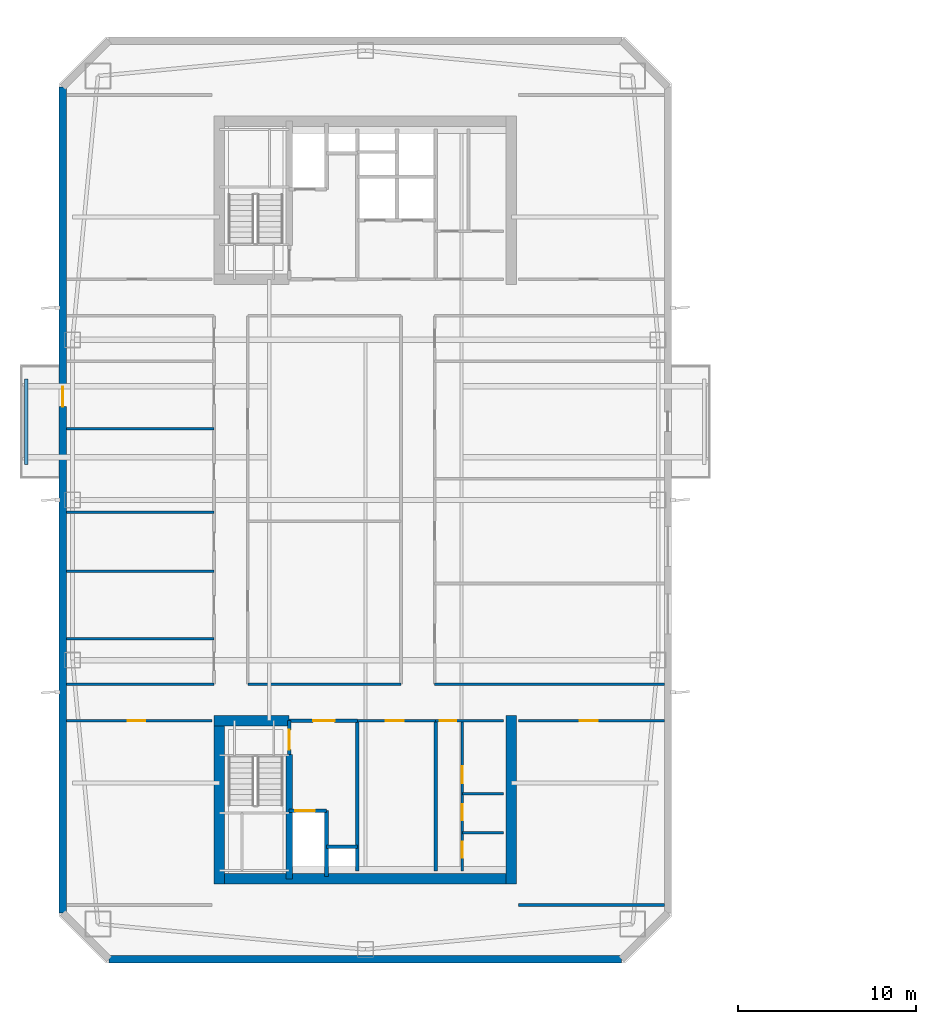
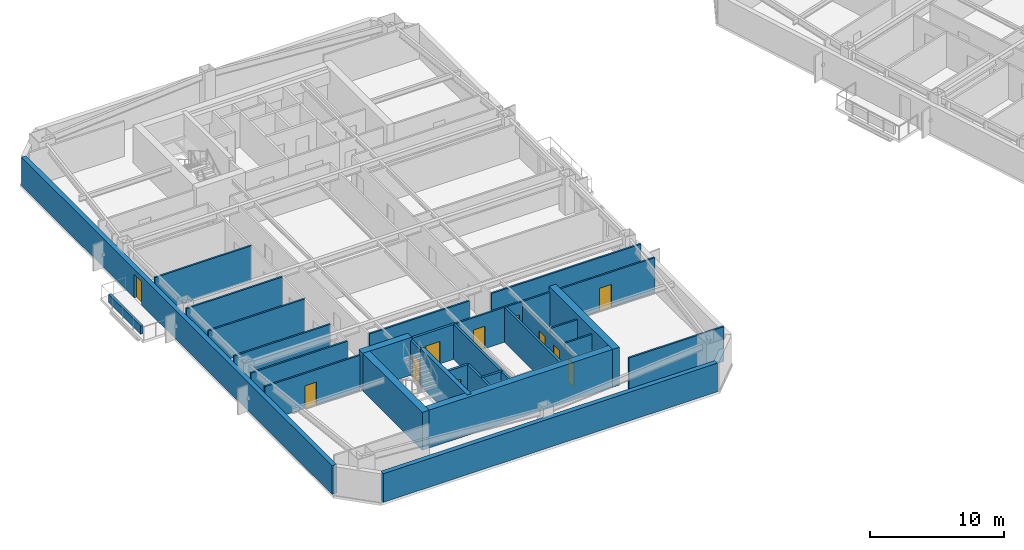
# One storey, part 6 of 18: 30 walls, 11 doors, 11 openings.
"""IFC4 building model written with IfcOpenShell, lengths in metres."""

import ifcopenshell
import ifcopenshell.guid

model = None  # the IFC model being written
_history = None  # IfcOwnerHistory: only IFC2X3 demands one
_inside = {}  # id of a spatial element -> (the spatial element, [elements in it])
_under = {}  # id of a project, library or spatial element -> (it, [spatial elements below it])
_declared = {}  # id of a project -> (the project, [libraries it declares])
_typed = {}  # id of a type object -> (the type object, [elements of that type])
_made_of = {}  # id of a material, layer set ... -> (it, [elements and type objects made of it])


def new_model(schema):
    """Start an empty IFC model of exactly this schema.

    Asked for "IFC4X3", IfcOpenShell would pick the latest addendum, in which some entities
    have other attributes; the version numbers below select the first issue.
    IFC2X3 requires an IfcOwnerHistory on every rooted entity: one is made here for all.
    """
    global model, _history
    if schema == "IFC4X3":
        model = ifcopenshell.file(schema_version=(4, 3, 0, 0))
    else:
        model = ifcopenshell.file(schema=schema)
    _inside.clear()
    _under.clear()
    _declared.clear()
    _typed.clear()
    _made_of.clear()
    _history = None
    if model.schema == "IFC2X3":
        org = make("IfcOrganization", Name="unknown")
        user = make(
            "IfcPersonAndOrganization",
            ThePerson=make("IfcPerson", FamilyName="unknown"),
            TheOrganization=org,
        )
        app = make(
            "IfcApplication",
            ApplicationDeveloper=org,
            Version="unknown",
            ApplicationFullName="unknown",
            ApplicationIdentifier="unknown",
        )
        _history = make(
            "IfcOwnerHistory",
            OwningUser=user,
            OwningApplication=app,
            ChangeAction="ADDED",
            CreationDate=0,
        )
    return model


def make(cls, **values):
    """One entity of the class cls with the attributes given. An attribute that is None is left unset."""
    return model.create_entity(
        cls, **{name: value for name, value in values.items() if value is not None}
    )


def rooted(cls, **values):
    """An entity with a GlobalId (a new one), such as an element, a storey or a relation."""
    return make(cls, GlobalId=ifcopenshell.guid.new(), OwnerHistory=_history, **values)


def si_unit(unit_type, name, prefix=None):
    """IfcSIUnit, for example si_unit("LENGTHUNIT", "METRE", prefix="MILLI")."""
    return make("IfcSIUnit", UnitType=unit_type, Prefix=prefix, Name=name)


def assignment(units):
    """IfcUnitAssignment: the units of a project."""
    return None if units is None else make("IfcUnitAssignment", Units=units)


def point(xyz):
    """IfcCartesianPoint."""
    return None if xyz is None else make("IfcCartesianPoint", Coordinates=xyz)


def direction(xyz):
    """IfcDirection."""
    return None if xyz is None else make("IfcDirection", DirectionRatios=xyz)


def frame(location, z_axis=None, x_axis=None):
    """IfcAxis2Placement3D, a coordinate frame: its origin and axes. An axis left out is left unset."""
    return make(
        "IfcAxis2Placement3D",
        Location=point(location),
        Axis=direction(z_axis),
        RefDirection=direction(x_axis),
    )


def frame_2d(location, x_axis=None):
    """IfcAxis2Placement2D, a coordinate frame in the plane: its origin and x axis."""
    return make(
        "IfcAxis2Placement2D", Location=point(location), RefDirection=direction(x_axis)
    )


def origin():
    """The frame at (0, 0, 0) with its axes left unset."""
    return frame((0.0, 0.0, 0.0))


def place(relative_to, where):
    """IfcLocalPlacement: puts the frame where relative to a parent placement (None: the world)."""
    return make(
        "IfcLocalPlacement", PlacementRelTo=relative_to, RelativePlacement=where
    )


def context(
    kind, dimensions, precision=None, world=None, true_north=None, identifier=None
):
    """IfcGeometricRepresentationContext, for example the 3D "Model" context."""
    return make(
        "IfcGeometricRepresentationContext",
        ContextIdentifier=identifier,
        ContextType=kind,
        CoordinateSpaceDimension=dimensions,
        Precision=precision,
        WorldCoordinateSystem=world,
        TrueNorth=true_north,
    )


def subcontext(parent, identifier, kind, view, scale=None):
    """IfcGeometricRepresentationSubContext, for example "Body" below "Model"."""
    return make(
        "IfcGeometricRepresentationSubContext",
        ContextIdentifier=identifier,
        ContextType=kind,
        ParentContext=parent,
        TargetScale=scale,
        TargetView=view,
    )


def project(units=None, contexts=None):
    """IfcProject with its units and contexts."""
    return rooted(
        "IfcProject",
        Name="project",
        RepresentationContexts=contexts,
        UnitsInContext=assignment(units),
    )


def spatial(cls, under=None, at=None, **own):
    """A site, building, storey or space (cls), placed at a placement, below another one or the project."""
    s = rooted(cls, ObjectPlacement=at, **own)
    if under is not None:
        _under.setdefault(under.id(), (under, []))[1].append(s)
    return s


def profile(cls, at=None, kind="AREA", **sizes):
    """A parametric profile (cls). Its sizes go by their IFC names, for example OverallWidth=200.0."""
    return make(cls, ProfileType=kind, Position=at, **sizes)


def rectangle(**sizes):
    """IfcRectangleProfileDef."""
    return profile("IfcRectangleProfileDef", **sizes)


def extrude(swept, where, along, depth):
    """IfcExtrudedAreaSolid: the profile swept, set in the frame where, extruded along a direction by depth."""
    return make(
        "IfcExtrudedAreaSolid",
        SweptArea=swept,
        Position=where,
        ExtrudedDirection=direction(along),
        Depth=depth,
    )


def shape(context_of_items, identifier, shape_type, items):
    """IfcShapeRepresentation: the items that make up one representation, for example the "Body"."""
    return make(
        "IfcShapeRepresentation",
        ContextOfItems=context_of_items,
        RepresentationIdentifier=identifier,
        RepresentationType=shape_type,
        Items=items,
    )


def material(Name=None, Category=None):
    """IfcMaterial."""
    return make("IfcMaterial", Name=Name, Category=Category)


def layer(
    of_material, thickness, ventilated=None, Name=None, Category=None, Priority=None
):
    """IfcMaterialLayer: one layer of a wall or slab, of a material (None: an air gap)."""
    return make(
        "IfcMaterialLayer",
        Material=of_material,
        LayerThickness=thickness,
        IsVentilated=ventilated,
        Name=Name,
        Category=Category,
        Priority=Priority,
    )


def layer_set(layers, Name=None):
    """IfcMaterialLayerSet."""
    return make("IfcMaterialLayerSet", MaterialLayers=layers, LayerSetName=Name)


def made_of(thing, what):
    """Note that an element or type object is made of a material, layer set ...; save() writes the relation."""
    if what is not None:
        _made_of.setdefault(what.id(), (what, []))[1].append(thing)
    return thing


def type_object(cls, material=None, **own):
    """A type object (cls), such as IfcWallType, which elements share."""
    return made_of(rooted(cls, **own), material)


def element(
    cls,
    number,
    at=None,
    inside=None,
    cuts=None,
    type_object=None,
    material=None,
    context=None,
    identifier="Body",
    shape_type=None,
    held_by="IfcProductDefinitionShape",
    body=None,
    shapes=None,
    **own,
):
    """One element of the class cls, such as IfcWall. Its Tag is "e" and its number.

    at: its placement. inside: the storey or other place that contains it. cuts: it is an
    opening in that element (IfcRelVoidsElement). A single representation is given by context,
    identifier, shape_type and body (its items); several are given by shapes. held_by: the class
    of the entity that holds the representations. save() writes the other relations.
    """
    e = rooted(cls, Tag="e%d" % number, ObjectPlacement=at, **own)
    if body is not None:
        shapes = [shape(context, identifier, shape_type, body)]
    if shapes is not None:
        e.Representation = make(held_by, Representations=shapes)
    if inside is not None:
        _inside.setdefault(inside.id(), (inside, []))[1].append(e)
    if cuts is not None:
        rooted(
            "IfcRelVoidsElement", RelatingBuildingElement=cuts, RelatedOpeningElement=e
        )
    if type_object is not None:
        _typed.setdefault(type_object.id(), (type_object, []))[1].append(e)
    return made_of(e, material)


def fill(opening, filler):
    """IfcRelFillsElement: the door or window that sits in an opening."""
    return rooted(
        "IfcRelFillsElement",
        RelatingOpeningElement=opening,
        RelatedBuildingElement=filler,
    )


def aggregate(whole, parts):
    """IfcRelAggregates: a whole, such as a stair, and the parts it consists of."""
    return rooted("IfcRelAggregates", RelatingObject=whole, RelatedObjects=parts)


def save(model, path):
    """Write the relations noted so far, then the file.

    IfcRelAggregates (storeys below a building ...), IfcRelContainedInSpatialStructure (elements
    in a storey), IfcRelDefinesByType, IfcRelAssociatesMaterial and IfcRelDeclares: one each for
    every whole, place, type object, material and project.
    """
    for whole, parts in _under.values():
        aggregate(whole, parts)
    for where, things in _inside.values():
        rooted(
            "IfcRelContainedInSpatialStructure",
            RelatedElements=things,
            RelatingStructure=where,
        )
    for kind, things in _typed.values():
        rooted("IfcRelDefinesByType", RelatedObjects=things, RelatingType=kind)
    for what, things in _made_of.values():
        rooted("IfcRelAssociatesMaterial", RelatedObjects=things, RelatingMaterial=what)
    for by, libraries in _declared.values():
        rooted("IfcRelDeclares", RelatingContext=by, RelatedDefinitions=libraries)
    model.write(path)


model = new_model("IFC4")

# Units and contexts
model_context = context("Model", 3, precision=1e-05, world=origin(), true_north=direction((0.0, 1.0)))
body_context = subcontext(model_context, "Body", "Model", "MODEL_VIEW")
ifc_project = project(units=[si_unit("LENGTHUNIT", "METRE"), si_unit("AREAUNIT", "SQUARE_METRE"), si_unit("VOLUMEUNIT", "CUBIC_METRE"), si_unit("PLANEANGLEUNIT", "RADIAN"), si_unit("MASSUNIT", "GRAM", prefix="KILO")], contexts=[model_context])

# Site, building, storey
site_placement = place(None, origin())
site = spatial("IfcSite", under=ifc_project, at=site_placement, CompositionType="ELEMENT")
building_placement = place(site_placement, origin())
building = spatial("IfcBuilding", under=site, at=building_placement, Name="Qiaolan Cultural Towers", CompositionType="ELEMENT")
storey_placement = place(building_placement, frame((0.0, 0.0, 163.300048828125)))
storey = spatial("IfcBuildingStorey", under=building, at=storey_placement, Name="L43", CompositionType="ELEMENT", Elevation=163.300048828125)

# Walls
ifc_material_1 = material(Name="Concrete C50", Category="concrete")
ifc_layer_1 = layer(ifc_material_1, 0.35009765625)
ifc_layer_set_1 = layer_set([ifc_layer_1], Name="Concrete C50")
wall_type_1 = type_object("IfcWallType", Name="WL-CORE-350", PredefinedType="SHEAR", material=ifc_layer_set_1)
wall_1_placement = place(storey_placement, frame((25.719970703125, 19.699951171875, 0.0), z_axis=(0.0, 0.0, 1.0), x_axis=(0.0, -1.0, 0.0)))
element("IfcWall", 1, at=wall_1_placement, inside=storey, type_object=wall_type_1, Name="L43 T1-CS Stair Core Dividing Web", PredefinedType="SHEAR", context=body_context, shape_type="SweptSolid", body=[
    extrude(rectangle(XDim=6.97998046875, YDim=0.35009765625, at=frame_2d((3.489990234375, 0.0))), origin(), (0.0, 0.0, 1.0), 3.449951171875),
])
ifc_material_2 = material(Name="Concrete C55", Category="concrete")
ifc_layer_2 = layer(ifc_material_2, 0.60009765625)
ifc_layer_set_2 = layer_set([ifc_layer_2], Name="Concrete C55")
wall_type_2 = type_object("IfcWallType", Name="WL-CORE-600", PredefinedType="SHEAR", material=ifc_layer_set_2)
wall_2_placement = place(storey_placement, frame((21.5, 12.719970703125, 0.0), z_axis=(0.0, 0.0, 1.0), x_axis=(1.0, 0.0, 0.0)))
element("IfcWall", 2, at=wall_2_placement, inside=storey, type_object=wall_type_2, Name="L43 T1-CS Outer Core Shear Wall", PredefinedType="SHEAR", context=body_context, shape_type="SweptSolid", body=[
    extrude(rectangle(XDim=17.0, YDim=0.60009765625, at=frame_2d((8.5, 0.0))), origin(), (0.0, 0.0, 1.0), 3.449951171875),
])
for number, where, z_axis, x_axis, name in (
    (3, (21.800048828125, 21.89990234375, 0.0), (0.0, 0.0, 1.0), (0.0, -1.0, 0.0), "L43 T1-CS West Core Shear Wall"),
    (4, (38.199951171875, 21.89990234375, 0.0), (0.0, 0.0, 1.0), (0.0, -1.0, 0.0), "L43 T1-CS East Core Shear Wall"),
):
    element("IfcWall", number, at=place(storey_placement, frame(where, z_axis=z_axis, x_axis=x_axis)), inside=storey, type_object=wall_type_2, Name=name, PredefinedType="SHEAR", context=body_context, shape_type="SweptSolid", body=[
        extrude(rectangle(XDim=9.47998046875, YDim=0.60009765625, at=frame_2d((4.739990234375, 0.0))), origin(), (0.0, 0.0, 1.0), 3.449951171875),
    ])
wall_3_placement = place(storey_placement, frame((21.5, 21.60009765625, 0.0), z_axis=(0.0, 0.0, 1.0), x_axis=(1.0, 0.0, 0.0)))
element("IfcWall", 5, at=wall_3_placement, inside=storey, type_object=wall_type_2, Name="L43 T1-CS Stair Front Shear Wall", PredefinedType="SHEAR", context=body_context, shape_type="SweptSolid", body=[
    extrude(rectangle(XDim=4.219970703125, YDim=0.60009765625, at=frame_2d((2.10986328125, 0.0))), origin(), (0.0, 0.0, 1.0), 3.449951171875),
])

# Wall, opening, door
ifc_material_3 = material(Name="Precast Concrete C50 Honed Stone Pier", Category="masonry")
ifc_layer_3 = layer(ifc_material_3, 0.39990234375)
ifc_layer_set_3 = layer_set([ifc_layer_3], Name="Precast Concrete C50 Honed Stone Pier")
wall_type_3 = type_object("IfcWallType", Name="WL-EXT-PIER-400", PredefinedType="SOLIDWALL", material=ifc_layer_set_3)
wall_4_placement = place(storey_placement, frame((13.0, 10.800048828125, 0.0), z_axis=(0.0, 0.0, 1.0), x_axis=(0.0, 1.0, 0.0)))
wall_4 = element("IfcWall", 6, at=wall_4_placement, inside=storey, type_object=wall_type_3, Name="L43 West Tower Precast Pier Facade Wall F1", PredefinedType="SOLIDWALL", context=body_context, shape_type="SweptSolid", body=[
    extrude(rectangle(XDim=46.39990234375, YDim=0.39990234375, at=frame_2d((23.199951171875, 0.0))), origin(), (0.0, 0.0, 1.0), 2.60986328125),
])
opening_1_placement = place(wall_4_placement, frame((28.449951171875, 0.0, 0.0)))
opening_1 = element("IfcOpeningElement", 7, at=opening_1_placement, cuts=wall_4, Name="Opening BD-01", PredefinedType="OPENING", context=body_context, shape_type="SweptSolid", body=[
    extrude(rectangle(XDim=1.10009765625, YDim=2.14990234375, at=frame_2d((0.550048828125, 1.074951171875))), frame((0.0, 0.2099609375, 0.0), z_axis=(0.0, -1.0, 0.0), x_axis=(1.0, 0.0, 0.0)), (0.0, 0.0, 1.0), 0.419921875),
])
ifc_material_4 = material(Name="Thermally Broken Aluminium Glazed Terrace Door", Category="aluminium")
door_type_1 = type_object("IfcDoorType", Name="DR-BAL-1100", OperationType="NOTDEFINED", PredefinedType="DOOR", material=ifc_material_4)
door_1_placement = place(opening_1_placement, origin())
door_1 = element("IfcDoor", 8, at=door_1_placement, inside=storey, type_object=door_type_1, Name="L43 T1 West Tree Balcony Door", OperationType="SINGLE_SWING_LEFT", OverallHeight=2.14990234375, OverallWidth=1.10009765625, PredefinedType="DOOR", context=body_context, shape_type="SweptSolid", body=[
    extrude(rectangle(XDim=1.10009765625, YDim=2.14990234375, at=frame_2d((0.550048828125, 1.074951171875))), frame((0.0, 0.02490234375, 0.0), z_axis=(0.0, -1.0, 0.0), x_axis=(1.0, 0.0, 0.0)), (0.0, 0.0, 1.0), 0.050048828125),
])
fill(opening_1, door_1)

# Wall
wall_5_placement = place(storey_placement, frame((44.39990234375, 8.199951171875, 0.0), z_axis=(0.0, 0.0, 1.0), x_axis=(-1.0, 0.0, 0.0)))
element("IfcWall", 9, at=wall_5_placement, inside=storey, type_object=wall_type_3, Name="L43 West Tower Precast Pier Facade Wall F7", PredefinedType="SOLIDWALL", context=body_context, shape_type="SweptSolid", body=[
    extrude(rectangle(XDim=28.7998046875, YDim=0.39990234375, at=frame_2d((14.39990234375, 0.0))), origin(), (0.0, 0.0, 1.0), 2.60986328125),
])

# Wall, opening, door
ifc_material_5 = material(Name="Concrete C35 Fire Wall", Category="concrete")
ifc_layer_4 = layer(ifc_material_5, 0.199951171875)
ifc_layer_set_4 = layer_set([ifc_layer_4], Name="Concrete C35 Fire Wall")
wall_type_4 = type_object("IfcWallType", Name="WL-FIRE-200", PredefinedType="PARTITIONING", material=ifc_layer_set_4)
wall_6_placement = place(storey_placement, frame((25.719970703125, 21.60009765625, 0.0), z_axis=(0.0, 0.0, 1.0), x_axis=(0.0, -1.0, 0.0)))
wall_6 = element("IfcWall", 10, at=wall_6_placement, inside=storey, type_object=wall_type_4, Name="L43 T1-CS Smokeproof Stair Entry Wall", PredefinedType="PARTITIONING", context=body_context, shape_type="SweptSolid", body=[
    extrude(rectangle(XDim=1.900146484375, YDim=0.199951171875, at=frame_2d((0.9501953125, 0.0))), origin(), (0.0, 0.0, 1.0), 3.175048828125),
])
opening_2_placement = place(wall_6_placement, frame((0.52001953125, 0.0, 0.0)))
opening_2 = element("IfcOpeningElement", 11, at=opening_2_placement, cuts=wall_6, Name="Opening FD-04", PredefinedType="OPENING", context=body_context, shape_type="SweptSolid", body=[
    extrude(rectangle(XDim=1.10009765625, YDim=2.050048828125, at=frame_2d((0.550048828125, 1.02490234375))), frame((0.0, 0.10986328125, 0.0), z_axis=(0.0, -1.0, 0.0), x_axis=(1.0, 0.0, 0.0)), (0.0, 0.0, 1.0), 0.219970703125),
])
ifc_material_6 = material(Name="Galvanized Steel Command Fire Door", Category="steel")
door_type_2 = type_object("IfcDoorType", Name="DR-FD90-1100", OperationType="NOTDEFINED", PredefinedType="DOOR", material=ifc_material_6)
door_2_placement = place(opening_2_placement, origin())
door_2 = element("IfcDoor", 12, at=door_2_placement, inside=storey, type_object=door_type_2, Name="L43 ST-W1 Smokeproof Stair Fire Door", OperationType="SINGLE_SWING_LEFT", OverallHeight=2.050048828125, OverallWidth=1.10009765625, PredefinedType="DOOR", context=body_context, shape_type="SweptSolid", body=[
    extrude(rectangle(XDim=1.10009765625, YDim=2.050048828125, at=frame_2d((0.550048828125, 1.02490234375))), frame((0.0, 0.02490234375, 0.0), z_axis=(0.0, -1.0, 0.0), x_axis=(1.0, 0.0, 0.0)), (0.0, 0.0, 1.0), 0.050048828125),
])
fill(opening_2, door_2)

# Wall
wall_7_placement = place(storey_placement, frame((29.550048828125, 21.60009765625, 0.0), z_axis=(0.0, 0.0, 1.0), x_axis=(0.0, -1.0, 0.0)))
element("IfcWall", 13, at=wall_7_placement, inside=storey, type_object=wall_type_4, Name="L43 T1-CS Firefighting Zone Wall", PredefinedType="PARTITIONING", context=body_context, shape_type="SweptSolid", body=[
    extrude(rectangle(XDim=8.43017578125, YDim=0.199951171875, at=frame_2d((4.215087890625, 0.0))), origin(), (0.0, 0.0, 1.0), 3.175048828125),
])

# Wall, opening, door
wall_8_placement = place(storey_placement, frame((25.719970703125, 21.60009765625, 0.0), z_axis=(0.0, 0.0, 1.0), x_axis=(1.0, 0.0, 0.0)))
wall_8 = element("IfcWall", 14, at=wall_8_placement, inside=storey, type_object=wall_type_4, Name="L43 T1-CS Firefighting Lobby Front Wall", PredefinedType="PARTITIONING", context=body_context, shape_type="SweptSolid", body=[
    extrude(rectangle(XDim=3.830078125, YDim=0.199951171875, at=frame_2d((1.9150390625, 0.0))), origin(), (0.0, 0.0, 1.0), 3.175048828125),
])
opening_3_placement = place(wall_8_placement, frame((1.35009765625, 0.0, 0.0)))
opening_3 = element("IfcOpeningElement", 15, at=opening_3_placement, cuts=wall_8, Name="Opening FD-03", PredefinedType="OPENING", context=body_context, shape_type="SweptSolid", body=[
    extrude(rectangle(XDim=1.199951171875, YDim=2.050048828125, at=frame_2d((0.60009765625, 1.02490234375))), frame((0.0, 0.10986328125, 0.0), z_axis=(0.0, -1.0, 0.0), x_axis=(1.0, 0.0, 0.0)), (0.0, 0.0, 1.0), 0.219970703125),
])
ifc_material_7 = material(Name="Galvanized Steel Smokeproof Lobby Fire Door", Category="steel")
door_type_3 = type_object("IfcDoorType", Name="DR-FD90-1200", OperationType="NOTDEFINED", PredefinedType="DOOR", material=ifc_material_7)
door_3_placement = place(opening_3_placement, origin())
door_3 = element("IfcDoor", 16, at=door_3_placement, inside=storey, type_object=door_type_3, Name="L43 FFL-W1 Firefighting Lobby Fire Door", OperationType="SINGLE_SWING_LEFT", OverallHeight=2.050048828125, OverallWidth=1.199951171875, PredefinedType="DOOR", context=body_context, shape_type="SweptSolid", body=[
    extrude(rectangle(XDim=1.199951171875, YDim=2.050048828125, at=frame_2d((0.60009765625, 1.02490234375))), frame((0.0, 0.02490234375, 0.0), z_axis=(0.0, -1.0, 0.0), x_axis=(1.0, 0.0, 0.0)), (0.0, 0.0, 1.0), 0.050048828125),
])
fill(opening_3, door_3)

wall_9_placement = place(storey_placement, frame((25.719970703125, 16.550048828125, 0.0), z_axis=(0.0, 0.0, 1.0), x_axis=(1.0, 0.0, 0.0)))
wall_9 = element("IfcWall", 17, at=wall_9_placement, inside=storey, type_object=wall_type_4, Name="L43 T1-CS Firefighting Shaft Front Wall", PredefinedType="PARTITIONING", context=body_context, shape_type="SweptSolid", body=[
    extrude(rectangle(XDim=2.10009765625, YDim=0.199951171875, at=frame_2d((1.050048828125, 0.0))), origin(), (0.0, 0.0, 1.0), 3.175048828125),
])
opening_4_placement = place(wall_9_placement, frame((0.35009765625, 0.0, 0.0)))
opening_4 = element("IfcOpeningElement", 18, at=opening_4_placement, cuts=wall_9, Name="Opening LD-01", PredefinedType="OPENING", context=body_context, shape_type="SweptSolid", body=[
    extrude(rectangle(XDim=1.10009765625, YDim=2.050048828125, at=frame_2d((0.550048828125, 1.02490234375))), frame((0.0, 0.10986328125, 0.0), z_axis=(0.0, -1.0, 0.0), x_axis=(1.0, 0.0, 0.0)), (0.0, 0.0, 1.0), 0.219970703125),
])
ifc_material_8 = material(Name="Brushed Stainless Steel S30408 Centre-Parting Lift Landing Door", Category="steel")
door_type_4 = type_object("IfcDoorType", Name="DR-LIFT-1100", OperationType="NOTDEFINED", PredefinedType="DOOR", material=ifc_material_8)
door_4_placement = place(opening_4_placement, origin())
door_4 = element("IfcDoor", 19, at=door_4_placement, inside=storey, type_object=door_type_4, Name="L43 FFL-W1 Firefighting Lift Landing Door", OperationType="DOUBLE_DOOR_SLIDING", OverallHeight=2.050048828125, OverallWidth=1.10009765625, PredefinedType="DOOR", context=body_context, shape_type="SweptSolid", body=[
    extrude(rectangle(XDim=1.10009765625, YDim=2.050048828125, at=frame_2d((0.550048828125, 1.02490234375))), frame((0.0, 0.02490234375, 0.0), z_axis=(0.0, -1.0, 0.0), x_axis=(1.0, 0.0, 0.0)), (0.0, 0.0, 1.0), 0.050048828125),
])
fill(opening_4, door_4)

# Walls
wall_10_placement = place(storey_placement, frame((27.820068359375, 16.550048828125, 0.0), z_axis=(0.0, 0.0, 1.0), x_axis=(0.0, -1.0, 0.0)))
element("IfcWall", 20, at=wall_10_placement, inside=storey, type_object=wall_type_4, Name="L43 T1-CS Firefighting Hoistway East Wall", PredefinedType="PARTITIONING", context=body_context, shape_type="SweptSolid", body=[
    extrude(rectangle(XDim=3.699951171875, YDim=0.199951171875, at=frame_2d((1.85009765625, 0.0))), origin(), (0.0, 0.0, 1.0), 3.175048828125),
])
wall_11_placement = place(storey_placement, frame((27.820068359375, 14.52001953125, 0.0), z_axis=(0.0, 0.0, 1.0), x_axis=(1.0, 0.0, 0.0)))
element("IfcWall", 21, at=wall_11_placement, inside=storey, type_object=wall_type_4, Name="L43 T1-CS Pressurization Shaft Front Wall", PredefinedType="PARTITIONING", context=body_context, shape_type="SweptSolid", body=[
    extrude(rectangle(XDim=1.72998046875, YDim=0.199951171875, at=frame_2d((0.864990234375, 0.0))), origin(), (0.0, 0.0, 1.0), 3.175048828125),
])
wall_12_placement = place(storey_placement, frame((33.949951171875, 21.60009765625, 0.0), z_axis=(0.0, 0.0, 1.0), x_axis=(0.0, -1.0, 0.0)))
element("IfcWall", 22, at=wall_12_placement, inside=storey, type_object=wall_type_4, Name="L43 T1-CS Lift Core East Wall", PredefinedType="PARTITIONING", context=body_context, shape_type="SweptSolid", body=[
    extrude(rectangle(XDim=8.43017578125, YDim=0.199951171875, at=frame_2d((4.215087890625, 0.0))), origin(), (0.0, 0.0, 1.0), 3.175048828125),
])

# Wall, opening, door
ifc_material_9 = material(Name="Autoclaved Aerated Concrete Block B06", Category="concrete")
ifc_layer_5 = layer(ifc_material_9, 0.14990234375)
ifc_layer_set_5 = layer_set([ifc_layer_5], Name="Autoclaved Aerated Concrete Block B06")
wall_type_5 = type_object("IfcWallType", Name="WL-PART-150", PredefinedType="PARTITIONING", material=ifc_layer_set_5)
wall_13_placement = place(storey_placement, frame((29.550048828125, 21.60009765625, 0.0), z_axis=(0.0, 0.0, 1.0), x_axis=(1.0, 0.0, 0.0)))
wall_13 = element("IfcWall", 23, at=wall_13_placement, inside=storey, type_object=wall_type_5, Name="L43 T1-CS Reclaimed Core Room Front Wall", PredefinedType="PARTITIONING", context=body_context, shape_type="SweptSolid", body=[
    extrude(rectangle(XDim=4.39990234375, YDim=0.14990234375, at=frame_2d((2.199951171875, 0.0))), origin(), (0.0, 0.0, 1.0), 3.175048828125),
])
opening_5_placement = place(wall_13_placement, frame((1.60009765625, 0.0, 0.0)))
opening_5 = element("IfcOpeningElement", 24, at=opening_5_placement, cuts=wall_13, Name="Opening ID-04", PredefinedType="OPENING", context=body_context, shape_type="SweptSolid", body=[
    extrude(rectangle(XDim=1.0, YDim=2.050048828125, at=frame_2d((0.5, 1.02490234375))), frame((0.0, 0.0849609375, 0.0), z_axis=(0.0, -1.0, 0.0), x_axis=(1.0, 0.0, 0.0)), (0.0, 0.0, 1.0), 0.169921875),
])
ifc_material_10 = material(Name="Oak Veneer Acoustic Office Door", Category="timber")
door_type_5 = type_object("IfcDoorType", Name="DR-INT-1000", OperationType="NOTDEFINED", PredefinedType="DOOR", material=ifc_material_10)
door_5_placement = place(opening_5_placement, origin())
door_5 = element("IfcDoor", 25, at=door_5_placement, inside=storey, type_object=door_type_5, Name="L43 Reclaimed Archive Room Door", OperationType="SINGLE_SWING_LEFT", OverallHeight=2.050048828125, OverallWidth=1.0, PredefinedType="DOOR", context=body_context, shape_type="SweptSolid", body=[
    extrude(rectangle(XDim=1.0, YDim=2.050048828125, at=frame_2d((0.5, 1.02490234375))), frame((0.0, 0.02490234375, 0.0), z_axis=(0.0, -1.0, 0.0), x_axis=(1.0, 0.0, 0.0)), (0.0, 0.0, 1.0), 0.050048828125),
])
fill(opening_5, door_5)

wall_14_placement = place(storey_placement, frame((33.949951171875, 21.60009765625, 0.0), z_axis=(0.0, 0.0, 1.0), x_axis=(1.0, 0.0, 0.0)))
wall_14 = element("IfcWall", 26, at=wall_14_placement, inside=storey, type_object=wall_type_5, Name="L43 T1-CS Sanitary Core Front Wall", PredefinedType="PARTITIONING", context=body_context, shape_type="SweptSolid", body=[
    extrude(rectangle(XDim=3.800048828125, YDim=0.14990234375, at=frame_2d((1.89990234375, 0.0))), origin(), (0.0, 0.0, 1.0), 3.175048828125),
])
opening_6_placement = place(wall_14_placement, frame((0.219970703125, 0.0, 0.0)))
opening_6 = element("IfcOpeningElement", 27, at=opening_6_placement, cuts=wall_14, Name="Opening ID-05", PredefinedType="OPENING", context=body_context, shape_type="SweptSolid", body=[
    extrude(rectangle(XDim=0.949951171875, YDim=2.050048828125, at=frame_2d((0.47509765625, 1.02490234375))), frame((0.0, 0.0849609375, 0.0), z_axis=(0.0, -1.0, 0.0), x_axis=(1.0, 0.0, 0.0)), (0.0, 0.0, 1.0), 0.169921875),
])
ifc_material_11 = material(Name="Fire-Rated Laminate Accessible Core Door", Category="timber")
door_type_6 = type_object("IfcDoorType", Name="DR-INT-950", OperationType="NOTDEFINED", PredefinedType="DOOR", material=ifc_material_11)
door_6_placement = place(opening_6_placement, origin())
door_6 = element("IfcDoor", 28, at=door_6_placement, inside=storey, type_object=door_type_6, Name="L43 Sanitary Vestibule Door", OperationType="SINGLE_SWING_LEFT", OverallHeight=2.050048828125, OverallWidth=0.949951171875, PredefinedType="DOOR", context=body_context, shape_type="SweptSolid", body=[
    extrude(rectangle(XDim=0.949951171875, YDim=2.050048828125, at=frame_2d((0.47509765625, 1.02490234375))), frame((0.0, 0.02490234375, 0.0), z_axis=(0.0, -1.0, 0.0), x_axis=(1.0, 0.0, 0.0)), (0.0, 0.0, 1.0), 0.050048828125),
])
fill(opening_6, door_6)

# Wall, openings, doors
wall_15_placement = place(storey_placement, frame((35.449951171875, 21.60009765625, 0.0), z_axis=(0.0, 0.0, 1.0), x_axis=(0.0, -1.0, 0.0)))
wall_15 = element("IfcWall", 29, at=wall_15_placement, inside=storey, type_object=wall_type_5, Name="L43 T1-CS Sanitary Vestibule Wall", PredefinedType="PARTITIONING", context=body_context, shape_type="SweptSolid", body=[
    extrude(rectangle(XDim=8.43017578125, YDim=0.14990234375, at=frame_2d((4.215087890625, 0.0))), origin(), (0.0, 0.0, 1.0), 2.81494140625),
])
opening_7_placement = place(wall_15_placement, frame((2.550048828125, 0.0, 0.0)))
opening_7 = element("IfcOpeningElement", 30, at=opening_7_placement, cuts=wall_15, Name="Opening ID-05", PredefinedType="OPENING", context=body_context, shape_type="SweptSolid", body=[
    extrude(rectangle(XDim=0.949951171875, YDim=2.050048828125, at=frame_2d((0.47509765625, 1.02490234375))), frame((0.0, 0.0849609375, 0.0), z_axis=(0.0, -1.0, 0.0), x_axis=(1.0, 0.0, 0.0)), (0.0, 0.0, 1.0), 0.169921875),
])
opening_8_placement = place(wall_15_placement, frame((4.699951171875, 0.0, 0.0)))
opening_8 = element("IfcOpeningElement", 31, at=opening_8_placement, cuts=wall_15, Name="Opening ID-06", PredefinedType="OPENING", context=body_context, shape_type="SweptSolid", body=[
    extrude(rectangle(XDim=0.89990234375, YDim=2.050048828125, at=frame_2d((0.449951171875, 1.02490234375))), frame((0.0, 0.0849609375, 0.0), z_axis=(0.0, -1.0, 0.0), x_axis=(1.0, 0.0, 0.0)), (0.0, 0.0, 1.0), 0.169921875),
])
opening_9_placement = place(wall_15_placement, frame((6.800048828125, 0.0, 0.0)))
opening_9 = element("IfcOpeningElement", 32, at=opening_9_placement, cuts=wall_15, Name="Opening ID-06", PredefinedType="OPENING", context=body_context, shape_type="SweptSolid", body=[
    extrude(rectangle(XDim=0.89990234375, YDim=2.050048828125, at=frame_2d((0.449951171875, 1.02490234375))), frame((0.0, 0.0849609375, 0.0), z_axis=(0.0, -1.0, 0.0), x_axis=(1.0, 0.0, 0.0)), (0.0, 0.0, 1.0), 0.169921875),
])
ifc_material_12 = material(Name="Fire-Rated Laminate Core Service Door", Category="timber")
door_type_7 = type_object("IfcDoorType", Name="DR-INT-900", OperationType="NOTDEFINED", PredefinedType="DOOR", material=ifc_material_12)
door_7_placement = place(opening_8_placement, origin())
door_7 = element("IfcDoor", 33, at=door_7_placement, inside=storey, type_object=door_type_7, Name="L43 Men Washroom Door", OperationType="SINGLE_SWING_LEFT", OverallHeight=2.050048828125, OverallWidth=0.89990234375, PredefinedType="DOOR", context=body_context, shape_type="SweptSolid", body=[
    extrude(rectangle(XDim=0.89990234375, YDim=2.050048828125, at=frame_2d((0.449951171875, 1.02490234375))), frame((0.0, 0.02490234375, 0.0), z_axis=(0.0, -1.0, 0.0), x_axis=(1.0, 0.0, 0.0)), (0.0, 0.0, 1.0), 0.050048828125),
])
fill(opening_8, door_7)
door_8_placement = place(opening_9_placement, origin())
door_8 = element("IfcDoor", 34, at=door_8_placement, inside=storey, type_object=door_type_7, Name="L43 Women Washroom Door", OperationType="SINGLE_SWING_RIGHT", OverallHeight=2.050048828125, OverallWidth=0.89990234375, PredefinedType="DOOR", context=body_context, shape_type="SweptSolid", body=[
    extrude(rectangle(XDim=0.89990234375, YDim=2.050048828125, at=frame_2d((0.449951171875, 1.02490234375))), frame((0.0, 0.02490234375, 0.0), z_axis=(0.0, -1.0, 0.0), x_axis=(1.0, 0.0, 0.0)), (0.0, 0.0, 1.0), 0.050048828125),
])
fill(opening_9, door_8)
door_9_placement = place(opening_7_placement, origin())
door_9 = element("IfcDoor", 35, at=door_9_placement, inside=storey, type_object=door_type_6, Name="L43 Accessible Family Washroom Door", OperationType="SINGLE_SWING_LEFT", OverallHeight=2.050048828125, OverallWidth=0.949951171875, PredefinedType="DOOR", context=body_context, shape_type="SweptSolid", body=[
    extrude(rectangle(XDim=0.949951171875, YDim=2.050048828125, at=frame_2d((0.47509765625, 1.02490234375))), frame((0.0, 0.02490234375, 0.0), z_axis=(0.0, -1.0, 0.0), x_axis=(1.0, 0.0, 0.0)), (0.0, 0.0, 1.0), 0.050048828125),
])
fill(opening_7, door_9)

# Walls
for number, where, z_axis, x_axis, name in (
    (36, (35.449951171875, 17.5, 0.0), (0.0, 0.0, 1.0), (1.0, 0.0, 0.0), "L43 T1-CS Restroom Split Wall 1"),
    (37, (35.449951171875, 15.300048828125, 0.0), (0.0, 0.0, 1.0), (1.0, 0.0, 0.0), "L43 T1-CS Restroom Split Wall 2"),
):
    element("IfcWall", number, at=place(storey_placement, frame(where, z_axis=z_axis, x_axis=x_axis)), inside=storey, type_object=wall_type_5, Name=name, PredefinedType="PARTITIONING", context=body_context, shape_type="SweptSolid", body=[
        extrude(rectangle(XDim=2.300048828125, YDim=0.14990234375, at=frame_2d((1.14990234375, 0.0))), origin(), (0.0, 0.0, 1.0), 3.175048828125),
    ])

# Wall, opening, door
wall_16_placement = place(storey_placement, frame((13.199951171875, 21.60009765625, 0.0), z_axis=(0.0, 0.0, 1.0), x_axis=(1.0, 0.0, 0.0)))
wall_16 = element("IfcWall", 38, at=wall_16_placement, inside=storey, type_object=wall_type_5, Name="L43 T1 Flank Front FLK-SW", PredefinedType="PARTITIONING", context=body_context, shape_type="SweptSolid", body=[
    extrude(rectangle(XDim=8.199951171875, YDim=0.14990234375, at=frame_2d((4.10009765625, 0.0))), origin(), (0.0, 0.0, 1.0), 3.175048828125),
])
opening_10_placement = place(wall_16_placement, frame((3.444091796875, 0.0, 0.0)))
opening_10 = element("IfcOpeningElement", 39, at=opening_10_placement, cuts=wall_16, Name="Opening ID-04", PredefinedType="OPENING", context=body_context, shape_type="SweptSolid", body=[
    extrude(rectangle(XDim=1.0, YDim=2.050048828125, at=frame_2d((0.5, 1.02490234375))), frame((0.0, 0.0849609375, 0.0), z_axis=(0.0, -1.0, 0.0), x_axis=(1.0, 0.0, 0.0)), (0.0, 0.0, 1.0), 0.169921875),
])
door_10_placement = place(opening_10_placement, origin())
door_10 = element("IfcDoor", 40, at=door_10_placement, inside=storey, type_object=door_type_5, Name="L43 T1 Corner Studio Door", OperationType="SINGLE_SWING_LEFT", OverallHeight=2.050048828125, OverallWidth=1.0, PredefinedType="DOOR", context=body_context, shape_type="SweptSolid", body=[
    extrude(rectangle(XDim=1.0, YDim=2.050048828125, at=frame_2d((0.5, 1.02490234375))), frame((0.0, 0.02490234375, 0.0), z_axis=(0.0, -1.0, 0.0), x_axis=(1.0, 0.0, 0.0)), (0.0, 0.0, 1.0), 0.050048828125),
])
fill(opening_10, door_10)

# Wall
wall_17_placement = place(storey_placement, frame((38.60009765625, 11.25, 0.0), z_axis=(0.0, 0.0, 1.0), x_axis=(1.0, 0.0, 0.0)))
element("IfcWall", 41, at=wall_17_placement, inside=storey, type_object=wall_type_5, Name="L43 T1 Flank Wall FLK-SE", PredefinedType="PARTITIONING", context=body_context, shape_type="SweptSolid", body=[
    extrude(rectangle(XDim=8.199951171875, YDim=0.14990234375, at=frame_2d((4.10009765625, 0.0))), origin(), (0.0, 0.0, 1.0), 3.175048828125),
])

# Wall, opening, door
wall_18_placement = place(storey_placement, frame((38.60009765625, 21.60009765625, 0.0), z_axis=(0.0, 0.0, 1.0), x_axis=(1.0, 0.0, 0.0)))
wall_18 = element("IfcWall", 42, at=wall_18_placement, inside=storey, type_object=wall_type_5, Name="L43 T1 Flank Front FLK-SE", PredefinedType="PARTITIONING", context=body_context, shape_type="SweptSolid", body=[
    extrude(rectangle(XDim=8.199951171875, YDim=0.14990234375, at=frame_2d((4.10009765625, 0.0))), origin(), (0.0, 0.0, 1.0), 3.175048828125),
])
opening_11_placement = place(wall_18_placement, frame((3.444091796875, 0.0, 0.0)))
opening_11 = element("IfcOpeningElement", 43, at=opening_11_placement, cuts=wall_18, Name="Opening ID-04", PredefinedType="OPENING", context=body_context, shape_type="SweptSolid", body=[
    extrude(rectangle(XDim=1.0, YDim=2.050048828125, at=frame_2d((0.5, 1.02490234375))), frame((0.0, 0.0849609375, 0.0), z_axis=(0.0, -1.0, 0.0), x_axis=(1.0, 0.0, 0.0)), (0.0, 0.0, 1.0), 0.169921875),
])
door_11_placement = place(opening_11_placement, origin())
door_11 = element("IfcDoor", 44, at=door_11_placement, inside=storey, type_object=door_type_5, Name="L43 T1 Corner Studio Door", OperationType="SINGLE_SWING_LEFT", OverallHeight=2.050048828125, OverallWidth=1.0, PredefinedType="DOOR", context=body_context, shape_type="SweptSolid", body=[
    extrude(rectangle(XDim=1.0, YDim=2.050048828125, at=frame_2d((0.5, 1.02490234375))), frame((0.0, 0.02490234375, 0.0), z_axis=(0.0, -1.0, 0.0), x_axis=(1.0, 0.0, 0.0)), (0.0, 0.0, 1.0), 0.050048828125),
])
fill(opening_11, door_11)

# Walls
wall_19_placement = place(storey_placement, frame((13.199951171875, 23.64990234375, 0.0), z_axis=(0.0, 0.0, 1.0), x_axis=(1.0, 0.0, 0.0)))
element("IfcWall", 45, at=wall_19_placement, inside=storey, type_object=wall_type_5, Name="L43 T1 Interior Wall", PredefinedType="PARTITIONING", context=body_context, shape_type="SweptSolid", body=[
    extrude(rectangle(XDim=8.300048828125, YDim=0.14990234375, at=frame_2d((4.14990234375, 0.0))), origin(), (0.0, 0.0, 1.0), 3.175048828125),
])
wall_20_placement = place(storey_placement, frame((23.39990234375, 23.64990234375, 0.0), z_axis=(0.0, 0.0, 1.0), x_axis=(1.0, 0.0, 0.0)))
element("IfcWall", 46, at=wall_20_placement, inside=storey, type_object=wall_type_5, Name="L43 T1 Interior Wall", PredefinedType="PARTITIONING", context=body_context, shape_type="SweptSolid", body=[
    extrude(rectangle(XDim=8.60009765625, YDim=0.14990234375, at=frame_2d((4.300048828125, 0.0))), origin(), (0.0, 0.0, 1.0), 3.175048828125),
])
wall_21_placement = place(storey_placement, frame((33.89990234375, 23.64990234375, 0.0), z_axis=(0.0, 0.0, 1.0), x_axis=(1.0, 0.0, 0.0)))
element("IfcWall", 47, at=wall_21_placement, inside=storey, type_object=wall_type_5, Name="L43 T1 Interior Wall", PredefinedType="PARTITIONING", context=body_context, shape_type="SweptSolid", body=[
    extrude(rectangle(XDim=12.900146484375, YDim=0.14990234375, at=frame_2d((6.4501953125, 0.0))), origin(), (0.0, 0.0, 1.0), 3.175048828125),
])
for number, where, z_axis, x_axis, name in (
    (48, (13.199951171875, 26.199951171875, 0.0), (0.0, 0.0, 1.0), (1.0, 0.0, 0.0), "L43 T1 Interior Wall"),
    (49, (13.199951171875, 30.0, 0.0), (0.0, 0.0, 1.0), (1.0, 0.0, 0.0), "L43 T1 Interior Wall"),
    (50, (13.199951171875, 33.320068359375, 0.0), (0.0, 0.0, 1.0), (1.0, 0.0, 0.0), "L43 T1 Interior Wall"),
    (51, (13.199951171875, 38.0, 0.0), (0.0, 0.0, 1.0), (1.0, 0.0, 0.0), "L43 T1 Interior Wall"),
):
    element("IfcWall", number, at=place(storey_placement, frame(where, z_axis=z_axis, x_axis=x_axis)), inside=storey, type_object=wall_type_5, Name=name, PredefinedType="PARTITIONING", context=body_context, shape_type="SweptSolid", body=[
        extrude(rectangle(XDim=8.300048828125, YDim=0.14990234375, at=frame_2d((4.14990234375, 0.0))), origin(), (0.0, 0.0, 1.0), 3.175048828125),
    ])
ifc_material_13 = material(Name="Precast Concrete C45 Tree Planter Upstand", Category="concrete")
ifc_layer_6 = layer(ifc_material_13, 0.199951171875)
ifc_layer_set_6 = layer_set([ifc_layer_6], Name="Precast Concrete C45 Tree Planter Upstand")
wall_type_6 = type_object("IfcWallType", Name="WL-PLANTER-200", PredefinedType="PARAPET", material=ifc_layer_set_6)
wall_22_placement = place(storey_placement, frame((10.949951171875, 36.0, 0.0), z_axis=(0.0, 0.0, 1.0), x_axis=(0.0, 1.0, 0.0)))
element("IfcWall", 52, at=wall_22_placement, inside=storey, type_object=wall_type_6, Name="L43 T1 Tree Balcony Soil Planter Box W", PredefinedType="PARAPET", context=body_context, shape_type="SweptSolid", body=[
    extrude(rectangle(XDim=4.800048828125, YDim=0.199951171875, at=frame_2d((2.39990234375, 0.0))), origin(), (0.0, 0.0, 1.0), 0.75),
])

save(model, "model.ifc")
